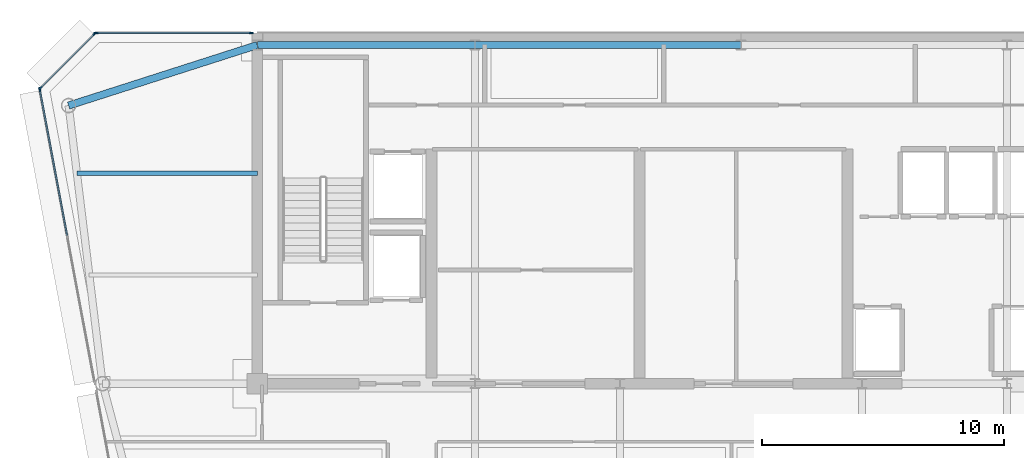
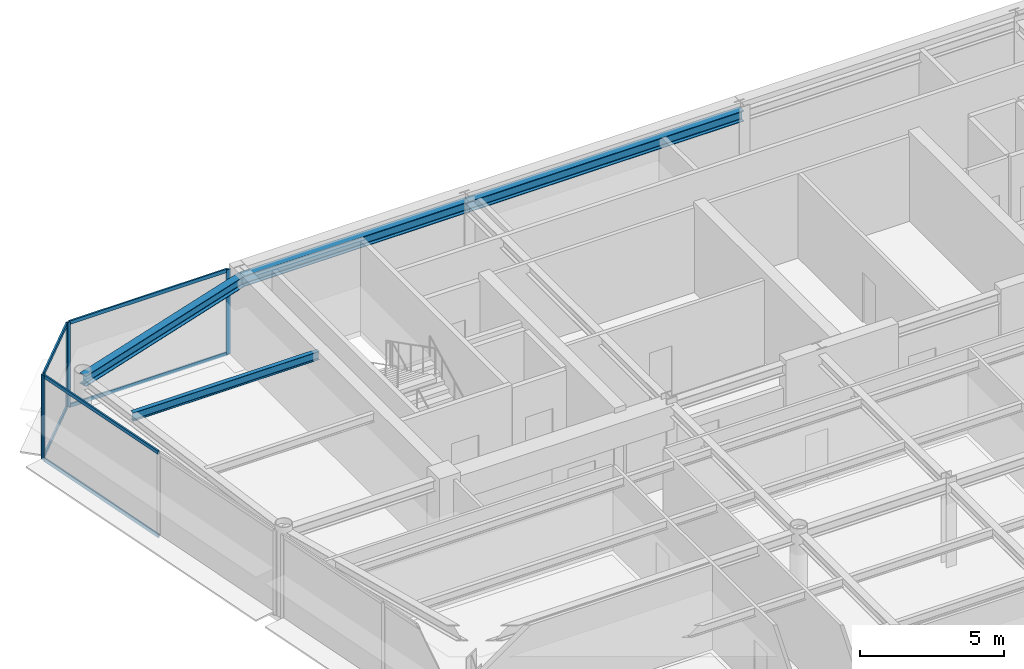
# One storey, part 8 of 20: 11 members, 4 beams, 3 elements without a shape of their own.
"""IFC4 building model written with IfcOpenShell, lengths in metres."""

from ifc_helpers import new_model, si_unit, direction, frame, origin, origin_2d, place, context, subcontext, project, spatial, rectangle, i_section, extrude, source, transform, mapped, material, layer, layer_set, material_profile, profile_set, type_object, element, aggregate, save


model = new_model("IFC4")

# Units and contexts
model_context = context("Model", 3, precision=1e-05, world=origin(), true_north=direction((0.0, 1.0)))
body_context = subcontext(model_context, "Body", "Model", "MODEL_VIEW")
ifc_project = project(units=[si_unit("LENGTHUNIT", "METRE"), si_unit("AREAUNIT", "SQUARE_METRE"), si_unit("VOLUMEUNIT", "CUBIC_METRE"), si_unit("PLANEANGLEUNIT", "RADIAN"), si_unit("MASSUNIT", "GRAM", prefix="KILO")], contexts=[model_context])

# Site, building, storey
site_placement = place(None, origin())
site = spatial("IfcSite", under=ifc_project, at=site_placement, CompositionType="ELEMENT")
building_placement = place(site_placement, origin())
building = spatial("IfcBuilding", under=site, at=building_placement, Name="Vaeldorn Concourse Tower", CompositionType="ELEMENT")
storey_placement = place(building_placement, frame((0.0, 0.0, 284.0)))
storey = spatial("IfcBuildingStorey", under=building, at=storey_placement, Name="L73", CompositionType="ELEMENT", Elevation=284.0)

# Beams
ifc_material_1 = material(Name="Steel S355", Category="steel")
ifc_material_profile_1 = material_profile(ifc_material_1, i_section(OverallWidth=0.300048828125, OverallDepth=0.449951171875, WebThickness=0.013916015625, FlangeThickness=0.02587890625, FilletRadius=0.027099609375, at=origin_2d()), Name="HEB 450")
ifc_profile_set_1 = profile_set([ifc_material_profile_1], Name="Steel S355")
beam_type_1 = type_object("IfcBeamType", Name="BM-PG-HEB450", PredefinedType="BEAM", material=ifc_profile_set_1)
shared_shape_1 = source(origin(), body_context, "Body", "SweptSolid", [
    extrude(i_section(OverallWidth=0.300048828125, OverallDepth=0.449951171875, WebThickness=0.013916015625, FlangeThickness=0.02587890625, FilletRadius=0.027099609375, at=origin_2d()), origin(), (0.0, 0.0, 1.0), 11.0),
])
beam_1_placement = place(storey_placement, frame((23.0, 50.5, 3.35498046875), z_axis=(1.0, 0.0, 0.0), x_axis=(0.0, 1.0, 0.0)))
element("IfcBeam", 1, at=beam_1_placement, inside=storey, type_object=beam_type_1, Name="Beam BM-L73-C-HC2-C-HC3", PredefinedType="BEAM", context=body_context, shape_type="MappedRepresentation", body=[
    mapped(shared_shape_1, transform((0.0, 0.0, 0.0), scale=1.0)),
])
ifc_material_profile_2 = material_profile(ifc_material_1, i_section(OverallWidth=0.169921875, OverallDepth=0.360107421875, WebThickness=0.008056640625, FlangeThickness=0.0126953125, FilletRadius=0.01806640625, at=origin_2d()), Name="IPE 360")
ifc_profile_set_2 = profile_set([ifc_material_profile_2], Name="Steel S355")
beam_type_2 = type_object("IfcBeamType", Name="BM-JS-IPE360", PredefinedType="JOIST", material=ifc_profile_set_2)
shared_shape_2 = source(origin(), body_context, "Body", "SweptSolid", [
    extrude(i_section(OverallWidth=0.169921875, OverallDepth=0.360107421875, WebThickness=0.008056640625, FlangeThickness=0.0126953125, FilletRadius=0.01806640625, at=origin_2d()), origin(), (0.0, 0.0, 1.0), 7.458984375),
])
beam_2_placement = place(storey_placement, frame((6.541015625, 45.199951171875, 3.39990234375), z_axis=(1.0, 0.0, 0.0), x_axis=(0.0, 1.0, 0.0)))
element("IfcBeam", 2, at=beam_2_placement, inside=storey, type_object=beam_type_2, Name="Beam JS-L73-NW-452", PredefinedType="JOIST", context=body_context, shape_type="MappedRepresentation", body=[
    mapped(shared_shape_2, transform((0.0, 0.0, 0.0), scale=1.0)),
])
shared_shape_3 = source(origin(), body_context, "Body", "SweptSolid", [
    extrude(i_section(OverallWidth=0.300048828125, OverallDepth=0.449951171875, WebThickness=0.013916015625, FlangeThickness=0.02587890625, FilletRadius=0.027099609375, at=origin_2d()), origin(), (0.0, 0.0, 1.0), 9.0),
])
beam_3_placement = place(storey_placement, frame((14.0, 50.5, 3.35498046875), z_axis=(1.0, 0.0, 0.0), x_axis=(0.0, 1.0, 0.0)))
element("IfcBeam", 3, at=beam_3_placement, inside=storey, type_object=beam_type_1, Name="Beam BM-L73-C-HC1-C-HC2", PredefinedType="BEAM", context=body_context, shape_type="MappedRepresentation", body=[
    mapped(shared_shape_3, transform((0.0, 0.0, 0.0), scale=1.0)),
])
shared_shape_4 = source(origin(), body_context, "Body", "SweptSolid", [
    extrude(i_section(OverallWidth=0.300048828125, OverallDepth=0.449951171875, WebThickness=0.013916015625, FlangeThickness=0.02587890625, FilletRadius=0.027099609375, at=origin_2d()), origin(), (0.0, 0.0, 1.0), 8.19091796875),
])
beam_4_placement = place(storey_placement, frame((6.199951171875, 48.0, 3.35498046875), z_axis=(0.952282843383, 0.305216949396, 0.0), x_axis=(-0.305216949396, 0.952282843383, 0.0)))
element("IfcBeam", 4, at=beam_4_placement, inside=storey, type_object=beam_type_1, Name="Beam BM-L73-C-NW1-C-HC1", PredefinedType="BEAM", context=body_context, shape_type="MappedRepresentation", body=[
    mapped(shared_shape_4, transform((0.0, 0.0, 0.0), scale=1.0)),
])

# Curtain wall, members
ifc_material_2 = material(Name="Anodised Bronze Aluminium", Category="aluminium")
ifc_layer = layer(ifc_material_2, 0.179931640625)
ifc_layer_set = layer_set([ifc_layer], Name="Anodised Bronze Aluminium")
curtain_wall_type = type_object("IfcCurtainWallType", Name="CW-SYS-05", PredefinedType="NOTDEFINED", material=ifc_layer_set)
curtain_wall_1_placement = place(storey_placement, origin())
curtain_wall_1 = element("IfcCurtainWall", 5, at=curtain_wall_1_placement, inside=storey, type_object=curtain_wall_type, Name="Unitised Curtain Wall CW-L73-E10-1", PredefinedType="NOTDEFINED")
ifc_material_profile_3 = material_profile(ifc_material_2, rectangle(XDim=0.06494140625, YDim=0.14990234375, at=origin_2d()), Name="CWT 65x150")
ifc_profile_set_3 = profile_set([ifc_material_profile_3], Name="Anodised Bronze Aluminium")
member_type_1 = type_object("IfcMemberType", Name="CWT-BRONZE-150", PredefinedType="USERDEFINED", material=ifc_profile_set_3)
shared_shape_5 = source(origin(), body_context, "Body", "SweptSolid", [
    extrude(rectangle(XDim=0.06494140625, YDim=0.14990234375, at=origin_2d()), origin(), (0.0, 0.0, 1.0), 3.123046875),
])
member_1_placement = place(storey_placement, frame((7.254150390625, 50.9541015625, 0.032470703125), z_axis=(-0.707106781187, -0.707106781187, 0.0), x_axis=(0.707106781187, -0.707106781187, 0.0)))
member_1 = element("IfcMember", 6, at=member_1_placement, type_object=member_type_1, Name="CW-05 transom 1.1", ObjectType="TRANSOM", PredefinedType="USERDEFINED", context=body_context, shape_type="MappedRepresentation", body=[
    mapped(shared_shape_5, transform((0.0, 0.0, 0.0), scale=1.0)),
])
member_2_placement = place(storey_placement, frame((7.254150390625, 50.9541015625, 3.547607421875), z_axis=(-0.707106781187, -0.707106781187, 0.0), x_axis=(0.707106781187, -0.707106781187, 0.0)))
member_2 = element("IfcMember", 7, at=member_2_placement, type_object=member_type_1, Name="CW-05 transom 1.2", ObjectType="TRANSOM", PredefinedType="USERDEFINED", context=body_context, shape_type="MappedRepresentation", body=[
    mapped(shared_shape_5, transform((0.0, 0.0, 0.0), scale=1.0)),
])

curtain_wall_2_placement = place(storey_placement, origin())
curtain_wall_2 = element("IfcCurtainWall", 8, at=curtain_wall_2_placement, inside=storey, type_object=curtain_wall_type, Name="Unitised Curtain Wall CW-L73-E09-2", PredefinedType="NOTDEFINED")
ifc_material_profile_4 = material_profile(ifc_material_2, rectangle(XDim=0.06494140625, YDim=0.169921875, at=origin_2d()), Name="CWM 65x170")
ifc_profile_set_4 = profile_set([ifc_material_profile_4], Name="Anodised Bronze Aluminium")
member_type_2 = type_object("IfcMemberType", Name="CWM-BRONZE-170", PredefinedType="MULLION", material=ifc_profile_set_4)
shared_shape_6 = source(origin(), body_context, "Body", "SweptSolid", [
    extrude(rectangle(XDim=0.06494140625, YDim=0.169921875, at=origin_2d()), origin(), (0.0, 0.0, 1.0), 3.580078125),
])
member_3_placement = place(storey_placement, frame((13.74755859375, 51.0, 0.0), z_axis=(0.0, 0.0, 1.0), x_axis=(0.0, -1.0, 0.0)))
member_3 = element("IfcMember", 9, at=member_3_placement, type_object=member_type_2, Name="CW-05 mullion 1", PredefinedType="MULLION", context=body_context, shape_type="MappedRepresentation", body=[
    mapped(shared_shape_6, transform((0.0, 0.0, 0.0), scale=1.0)),
])
member_4_placement = place(storey_placement, frame((7.33251953125, 51.0, 0.0), z_axis=(0.0, 0.0, 1.0), x_axis=(0.0, -1.0, 0.0)))
member_4 = element("IfcMember", 10, at=member_4_placement, type_object=member_type_2, Name="CW-05 mullion 2", PredefinedType="MULLION", context=body_context, shape_type="MappedRepresentation", body=[
    mapped(shared_shape_6, transform((0.0, 0.0, 0.0), scale=1.0)),
])

# Member
member_5_placement = place(storey_placement, frame((7.277099609375, 50.97705078125, 0.0), z_axis=(0.0, 0.0, 1.0), x_axis=(0.707106781187, -0.707106781187, 0.0)))
member_5 = element("IfcMember", 11, at=member_5_placement, type_object=member_type_2, Name="CW-05 mullion 1", PredefinedType="MULLION", context=body_context, shape_type="MappedRepresentation", body=[
    mapped(shared_shape_6, transform((0.0, 0.0, 0.0), scale=1.0)),
])

member_6_placement = place(storey_placement, frame((5.02294921875, 48.722900390625, 0.0), z_axis=(0.0, 0.0, 1.0), x_axis=(0.707106781187, -0.707106781187, 0.0)))
member_6 = element("IfcMember", 12, at=member_6_placement, type_object=member_type_2, Name="CW-05 mullion 2", PredefinedType="MULLION", context=body_context, shape_type="MappedRepresentation", body=[
    mapped(shared_shape_6, transform((0.0, 0.0, 0.0), scale=1.0)),
])

aggregate(curtain_wall_1, [member_5, member_6, member_1, member_2])

# Curtain wall, member
curtain_wall_3_placement = place(storey_placement, origin())
curtain_wall_3 = element("IfcCurtainWall", 13, at=curtain_wall_3_placement, inside=storey, type_object=curtain_wall_type, Name="Unitised Curtain Wall CW-L73-E11-1", PredefinedType="NOTDEFINED")
member_7_placement = place(storey_placement, frame((5.006103515625, 48.66796875, 0.0), z_axis=(0.0, 0.0, 1.0), x_axis=(0.982880218842, 0.184245693053, 0.0)))
member_7 = element("IfcMember", 14, at=member_7_placement, type_object=member_type_2, Name="CW-05 mullion 1", PredefinedType="MULLION", context=body_context, shape_type="MappedRepresentation", body=[
    mapped(shared_shape_6, transform((0.0, 0.0, 0.0), scale=1.0)),
])

# Member
shared_shape_7 = source(origin(), body_context, "Body", "SweptSolid", [
    extrude(rectangle(XDim=0.06494140625, YDim=0.14990234375, at=origin_2d()), origin(), (0.0, 0.0, 1.0), 6.35009765625),
])
member_8_placement = place(storey_placement, frame((13.715087890625, 51.0, 0.032470703125), z_axis=(-1.0, 0.0, 0.0), x_axis=(0.0, -1.0, 0.0)))
member_8 = element("IfcMember", 15, at=member_8_placement, type_object=member_type_1, Name="CW-05 transom 1.1", ObjectType="TRANSOM", PredefinedType="USERDEFINED", context=body_context, shape_type="MappedRepresentation", body=[
    mapped(shared_shape_7, transform((0.0, 0.0, 0.0), scale=1.0)),
])

member_9_placement = place(storey_placement, frame((13.715087890625, 51.0, 3.547607421875), z_axis=(-1.0, 0.0, 0.0), x_axis=(0.0, -1.0, 0.0)))
member_9 = element("IfcMember", 16, at=member_9_placement, type_object=member_type_1, Name="CW-05 transom 1.2", ObjectType="TRANSOM", PredefinedType="USERDEFINED", context=body_context, shape_type="MappedRepresentation", body=[
    mapped(shared_shape_7, transform((0.0, 0.0, 0.0), scale=1.0)),
])

aggregate(curtain_wall_2, [member_3, member_4, member_8, member_9])

shared_shape_8 = source(origin(), body_context, "Body", "SweptSolid", [
    extrude(rectangle(XDim=0.06494140625, YDim=0.14990234375, at=origin_2d()), origin(), (0.0, 0.0, 1.0), 6.103515625),
])
member_10_placement = place(storey_placement, frame((5.011962890625, 48.63623046875, 0.032470703125), z_axis=(0.18424023288, -0.982881242363, 0.0), x_axis=(0.982881242363, 0.18424023288, 0.0)))
member_10 = element("IfcMember", 17, at=member_10_placement, type_object=member_type_1, Name="CW-05 transom 1.1", ObjectType="TRANSOM", PredefinedType="USERDEFINED", context=body_context, shape_type="MappedRepresentation", body=[
    mapped(shared_shape_8, transform((0.0, 0.0, 0.0), scale=1.0)),
])

member_11_placement = place(storey_placement, frame((5.011962890625, 48.63623046875, 3.547607421875), z_axis=(0.18424023288, -0.982881242363, 0.0), x_axis=(0.982881242363, 0.18424023288, 0.0)))
member_11 = element("IfcMember", 18, at=member_11_placement, type_object=member_type_1, Name="CW-05 transom 1.2", ObjectType="TRANSOM", PredefinedType="USERDEFINED", context=body_context, shape_type="MappedRepresentation", body=[
    mapped(shared_shape_8, transform((0.0, 0.0, 0.0), scale=1.0)),
])

aggregate(curtain_wall_3, [member_7, member_10, member_11])

save(model, "model.ifc")
